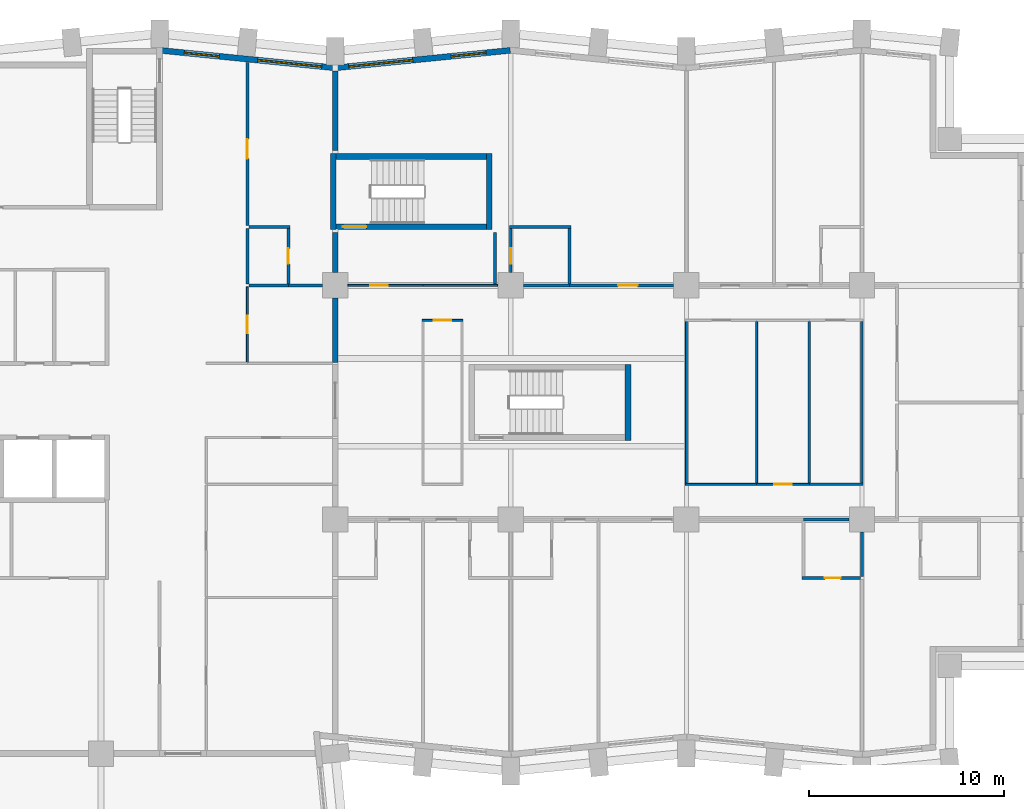
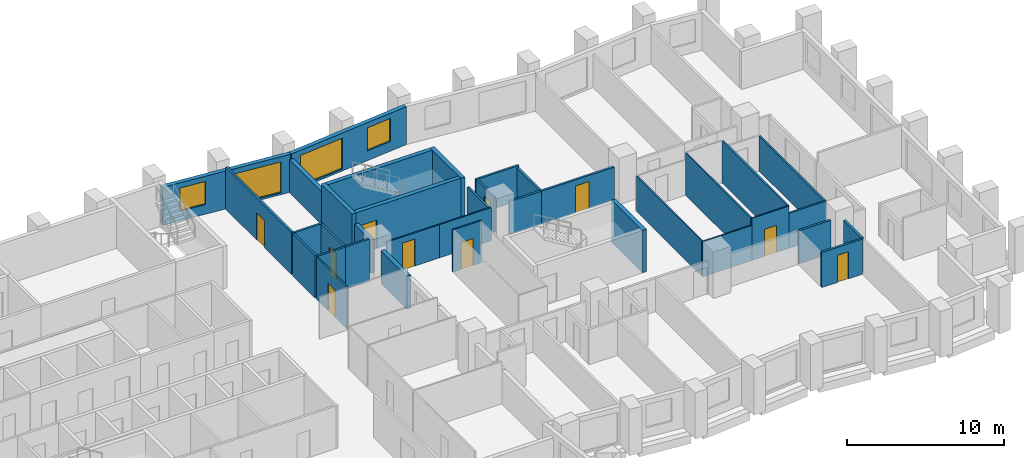
# One storey, part 8 of 12: 36 walls, 10 doors, 4 windows, 14 openings.
"""IFC4 building model written with IfcOpenShell, lengths in metres."""

import ifcopenshell
import ifcopenshell.guid

model = None  # the IFC model being written
_history = None  # IfcOwnerHistory: only IFC2X3 demands one
_inside = {}  # id of a spatial element -> (the spatial element, [elements in it])
_under = {}  # id of a project, library or spatial element -> (it, [spatial elements below it])
_declared = {}  # id of a project -> (the project, [libraries it declares])
_typed = {}  # id of a type object -> (the type object, [elements of that type])
_made_of = {}  # id of a material, layer set ... -> (it, [elements and type objects made of it])


def new_model(schema):
    """Start an empty IFC model of exactly this schema.

    Asked for "IFC4X3", IfcOpenShell would pick the latest addendum, in which some entities
    have other attributes; the version numbers below select the first issue.
    IFC2X3 requires an IfcOwnerHistory on every rooted entity: one is made here for all.
    """
    global model, _history
    if schema == "IFC4X3":
        model = ifcopenshell.file(schema_version=(4, 3, 0, 0))
    else:
        model = ifcopenshell.file(schema=schema)
    _inside.clear()
    _under.clear()
    _declared.clear()
    _typed.clear()
    _made_of.clear()
    _history = None
    if model.schema == "IFC2X3":
        org = make("IfcOrganization", Name="unknown")
        user = make(
            "IfcPersonAndOrganization",
            ThePerson=make("IfcPerson", FamilyName="unknown"),
            TheOrganization=org,
        )
        app = make(
            "IfcApplication",
            ApplicationDeveloper=org,
            Version="unknown",
            ApplicationFullName="unknown",
            ApplicationIdentifier="unknown",
        )
        _history = make(
            "IfcOwnerHistory",
            OwningUser=user,
            OwningApplication=app,
            ChangeAction="ADDED",
            CreationDate=0,
        )
    return model


def make(cls, **values):
    """One entity of the class cls with the attributes given. An attribute that is None is left unset."""
    return model.create_entity(
        cls, **{name: value for name, value in values.items() if value is not None}
    )


def rooted(cls, **values):
    """An entity with a GlobalId (a new one), such as an element, a storey or a relation."""
    return make(cls, GlobalId=ifcopenshell.guid.new(), OwnerHistory=_history, **values)


def si_unit(unit_type, name, prefix=None):
    """IfcSIUnit, for example si_unit("LENGTHUNIT", "METRE", prefix="MILLI")."""
    return make("IfcSIUnit", UnitType=unit_type, Prefix=prefix, Name=name)


def assignment(units):
    """IfcUnitAssignment: the units of a project."""
    return None if units is None else make("IfcUnitAssignment", Units=units)


def point(xyz):
    """IfcCartesianPoint."""
    return None if xyz is None else make("IfcCartesianPoint", Coordinates=xyz)


def direction(xyz):
    """IfcDirection."""
    return None if xyz is None else make("IfcDirection", DirectionRatios=xyz)


def frame(location, z_axis=None, x_axis=None):
    """IfcAxis2Placement3D, a coordinate frame: its origin and axes. An axis left out is left unset."""
    return make(
        "IfcAxis2Placement3D",
        Location=point(location),
        Axis=direction(z_axis),
        RefDirection=direction(x_axis),
    )


def frame_2d(location, x_axis=None):
    """IfcAxis2Placement2D, a coordinate frame in the plane: its origin and x axis."""
    return make(
        "IfcAxis2Placement2D", Location=point(location), RefDirection=direction(x_axis)
    )


def origin():
    """The frame at (0, 0, 0) with its axes left unset."""
    return frame((0.0, 0.0, 0.0))


def place(relative_to, where):
    """IfcLocalPlacement: puts the frame where relative to a parent placement (None: the world)."""
    return make(
        "IfcLocalPlacement", PlacementRelTo=relative_to, RelativePlacement=where
    )


def context(
    kind, dimensions, precision=None, world=None, true_north=None, identifier=None
):
    """IfcGeometricRepresentationContext, for example the 3D "Model" context."""
    return make(
        "IfcGeometricRepresentationContext",
        ContextIdentifier=identifier,
        ContextType=kind,
        CoordinateSpaceDimension=dimensions,
        Precision=precision,
        WorldCoordinateSystem=world,
        TrueNorth=true_north,
    )


def subcontext(parent, identifier, kind, view, scale=None):
    """IfcGeometricRepresentationSubContext, for example "Body" below "Model"."""
    return make(
        "IfcGeometricRepresentationSubContext",
        ContextIdentifier=identifier,
        ContextType=kind,
        ParentContext=parent,
        TargetScale=scale,
        TargetView=view,
    )


def project(units=None, contexts=None):
    """IfcProject with its units and contexts."""
    return rooted(
        "IfcProject",
        Name="project",
        RepresentationContexts=contexts,
        UnitsInContext=assignment(units),
    )


def spatial(cls, under=None, at=None, **own):
    """A site, building, storey or space (cls), placed at a placement, below another one or the project."""
    s = rooted(cls, ObjectPlacement=at, **own)
    if under is not None:
        _under.setdefault(under.id(), (under, []))[1].append(s)
    return s


def profile(cls, at=None, kind="AREA", **sizes):
    """A parametric profile (cls). Its sizes go by their IFC names, for example OverallWidth=200.0."""
    return make(cls, ProfileType=kind, Position=at, **sizes)


def rectangle(**sizes):
    """IfcRectangleProfileDef."""
    return profile("IfcRectangleProfileDef", **sizes)


def extrude(swept, where, along, depth):
    """IfcExtrudedAreaSolid: the profile swept, set in the frame where, extruded along a direction by depth."""
    return make(
        "IfcExtrudedAreaSolid",
        SweptArea=swept,
        Position=where,
        ExtrudedDirection=direction(along),
        Depth=depth,
    )


def shape(context_of_items, identifier, shape_type, items):
    """IfcShapeRepresentation: the items that make up one representation, for example the "Body"."""
    return make(
        "IfcShapeRepresentation",
        ContextOfItems=context_of_items,
        RepresentationIdentifier=identifier,
        RepresentationType=shape_type,
        Items=items,
    )


def material(Name=None, Category=None):
    """IfcMaterial."""
    return make("IfcMaterial", Name=Name, Category=Category)


def layer(
    of_material, thickness, ventilated=None, Name=None, Category=None, Priority=None
):
    """IfcMaterialLayer: one layer of a wall or slab, of a material (None: an air gap)."""
    return make(
        "IfcMaterialLayer",
        Material=of_material,
        LayerThickness=thickness,
        IsVentilated=ventilated,
        Name=Name,
        Category=Category,
        Priority=Priority,
    )


def layer_set(layers, Name=None):
    """IfcMaterialLayerSet."""
    return make("IfcMaterialLayerSet", MaterialLayers=layers, LayerSetName=Name)


def made_of(thing, what):
    """Note that an element or type object is made of a material, layer set ...; save() writes the relation."""
    if what is not None:
        _made_of.setdefault(what.id(), (what, []))[1].append(thing)
    return thing


def type_object(cls, material=None, **own):
    """A type object (cls), such as IfcWallType, which elements share."""
    return made_of(rooted(cls, **own), material)


def element(
    cls,
    number,
    at=None,
    inside=None,
    cuts=None,
    type_object=None,
    material=None,
    context=None,
    identifier="Body",
    shape_type=None,
    held_by="IfcProductDefinitionShape",
    body=None,
    shapes=None,
    **own,
):
    """One element of the class cls, such as IfcWall. Its Tag is "e" and its number.

    at: its placement. inside: the storey or other place that contains it. cuts: it is an
    opening in that element (IfcRelVoidsElement). A single representation is given by context,
    identifier, shape_type and body (its items); several are given by shapes. held_by: the class
    of the entity that holds the representations. save() writes the other relations.
    """
    e = rooted(cls, Tag="e%d" % number, ObjectPlacement=at, **own)
    if body is not None:
        shapes = [shape(context, identifier, shape_type, body)]
    if shapes is not None:
        e.Representation = make(held_by, Representations=shapes)
    if inside is not None:
        _inside.setdefault(inside.id(), (inside, []))[1].append(e)
    if cuts is not None:
        rooted(
            "IfcRelVoidsElement", RelatingBuildingElement=cuts, RelatedOpeningElement=e
        )
    if type_object is not None:
        _typed.setdefault(type_object.id(), (type_object, []))[1].append(e)
    return made_of(e, material)


def fill(opening, filler):
    """IfcRelFillsElement: the door or window that sits in an opening."""
    return rooted(
        "IfcRelFillsElement",
        RelatingOpeningElement=opening,
        RelatedBuildingElement=filler,
    )


def aggregate(whole, parts):
    """IfcRelAggregates: a whole, such as a stair, and the parts it consists of."""
    return rooted("IfcRelAggregates", RelatingObject=whole, RelatedObjects=parts)


def save(model, path):
    """Write the relations noted so far, then the file.

    IfcRelAggregates (storeys below a building ...), IfcRelContainedInSpatialStructure (elements
    in a storey), IfcRelDefinesByType, IfcRelAssociatesMaterial and IfcRelDeclares: one each for
    every whole, place, type object, material and project.
    """
    for whole, parts in _under.values():
        aggregate(whole, parts)
    for where, things in _inside.values():
        rooted(
            "IfcRelContainedInSpatialStructure",
            RelatedElements=things,
            RelatingStructure=where,
        )
    for kind, things in _typed.values():
        rooted("IfcRelDefinesByType", RelatedObjects=things, RelatingType=kind)
    for what, things in _made_of.values():
        rooted("IfcRelAssociatesMaterial", RelatedObjects=things, RelatingMaterial=what)
    for by, libraries in _declared.values():
        rooted("IfcRelDeclares", RelatingContext=by, RelatedDefinitions=libraries)
    model.write(path)


model = new_model("IFC4")

# Units and contexts
model_context = context("Model", 3, precision=1e-05, world=origin(), true_north=direction((0.0, 1.0)))
body_context = subcontext(model_context, "Body", "Model", "MODEL_VIEW")
ifc_project = project(units=[si_unit("LENGTHUNIT", "METRE"), si_unit("AREAUNIT", "SQUARE_METRE"), si_unit("VOLUMEUNIT", "CUBIC_METRE"), si_unit("PLANEANGLEUNIT", "RADIAN"), si_unit("MASSUNIT", "GRAM", prefix="KILO")], contexts=[model_context])

# Site, building, storey
site_placement = place(None, origin())
site = spatial("IfcSite", under=ifc_project, at=site_placement, CompositionType="ELEMENT")
building_placement = place(site_placement, origin())
building = spatial("IfcBuilding", under=site, at=building_placement, Name="Brondeck Convention Tower", CompositionType="ELEMENT")
storey_placement = place(building_placement, frame((0.0, 0.0, 77.10009765625)))
storey = spatial("IfcBuildingStorey", under=building, at=storey_placement, Name="L17", CompositionType="ELEMENT", Elevation=77.10009765625)

# Walls
ifc_material_1 = material(Name="Concrete compartment wall C30/37", Category="concrete")
ifc_layer_1 = layer(ifc_material_1, 0.300048828125)
ifc_layer_set_1 = layer_set([ifc_layer_1], Name="Compartment wall 300")
wall_type_1 = type_object("IfcWallType", Name="Compartment wall 300", PredefinedType="PARTITIONING", material=ifc_layer_set_1)
wall_1_placement = place(storey_placement, frame((36.0, 50.344970703125, 0.0), z_axis=(0.0, 0.0, 1.0), x_axis=(0.0, -1.0, 0.0)))
element("IfcWall", 1, at=wall_1_placement, inside=storey, type_object=wall_type_1, Name="FLR-L17-W103", PredefinedType="PARTITIONING", context=body_context, shape_type="SweptSolid", body=[
    extrude(rectangle(XDim=3.294921875, YDim=0.300048828125, at=frame_2d((1.6474609375, 0.0))), origin(), (0.0, 0.0, 1.0), 2.579833984375),
])
wall_2_placement = place(storey_placement, frame((36.0, 53.699951171875, 0.0), z_axis=(0.0, 0.0, 1.0), x_axis=(0.0, -1.0, 0.0)))
element("IfcWall", 2, at=wall_2_placement, inside=storey, type_object=wall_type_1, Name="FLR-L17-W118", PredefinedType="PARTITIONING", context=body_context, shape_type="SweptSolid", body=[
    extrude(rectangle(XDim=2.044921875, YDim=0.300048828125, at=frame_2d((1.0224609375, 0.0))), origin(), (0.0, 0.0, 1.0), 2.579833984375),
])
wall_3_placement = place(storey_placement, frame((36.0, 61.97509765625, 0.0), z_axis=(0.0, 0.0, 1.0), x_axis=(0.0, -1.0, 0.0)))
element("IfcWall", 3, at=wall_3_placement, inside=storey, type_object=wall_type_1, Name="FLR-L17-W127", PredefinedType="PARTITIONING", context=body_context, shape_type="SweptSolid", body=[
    extrude(rectangle(XDim=4.0751953125, YDim=0.300048828125, at=frame_2d((2.03759765625, 0.0))), origin(), (0.0, 0.0, 1.0), 2.579833984375),
])

# Wall, openings, windows
ifc_material_2 = material(Name="Precast concrete C50/60 bronze finish", Category="concrete")
ifc_layer_2 = layer(ifc_material_2, 0.070068359375, Name="Bronze precast facing")
ifc_material_3 = material(Name="Mineral wool")
ifc_layer_3 = layer(ifc_material_3, 0.159912109375, Name="Insulation")
ifc_material_4 = material(Name="Concrete C35/45", Category="concrete")
ifc_layer_4 = layer(ifc_material_4, 0.070068359375, Name="Backing")
ifc_layer_set_2 = layer_set([ifc_layer_2, ifc_layer_3, ifc_layer_4], Name="External infill wall, precast concrete C50/60 bronze facing")
wall_type_2 = type_object("IfcWallType", Name="External infill wall, precast concrete C50/60 bronze facing", PredefinedType="SOLIDWALL", material=ifc_layer_set_2)
wall_4_placement = place(storey_placement, frame((35.985107421875, 62.144287109375, 0.0), z_axis=(0.0, 0.0, 1.0), x_axis=(0.995037993253, 0.099495688264, 0.0)))
wall_4 = element("IfcWall", 4, at=wall_4_placement, inside=storey, type_object=wall_type_2, Name="ENV-EW-L17-P0-A-N-09", PredefinedType="SOLIDWALL", context=body_context, shape_type="SweptSolid", body=[
    extrude(rectangle(XDim=9.030029296875, YDim=0.300048828125, at=frame_2d((4.51513671875, 0.0))), origin(), (0.0, 0.0, 1.0), 2.949951171875),
])
opening_1_placement = place(wall_4_placement, frame((0.711181640625, 0.0, 0.14990234375)))
opening_1 = element("IfcOpeningElement", 5, at=opening_1_placement, cuts=wall_4, Name="Opening W9", PredefinedType="OPENING", context=body_context, shape_type="SweptSolid", body=[
    extrude(rectangle(XDim=3.300048828125, YDim=2.39990234375, at=frame_2d((1.64990234375, 1.199951171875))), frame((0.0, 0.159912109375, 0.0), z_axis=(0.0, -1.0, 0.0), x_axis=(1.0, 0.0, 0.0)), (0.0, 0.0, 1.0), 0.320068359375),
])
opening_2_placement = place(wall_4_placement, frame((5.983642578125, 0.0, 0.75)))
opening_2 = element("IfcOpeningElement", 6, at=opening_2_placement, cuts=wall_4, Name="Opening W10", PredefinedType="OPENING", context=body_context, shape_type="SweptSolid", body=[
    extrude(rectangle(XDim=1.800048828125, YDim=1.800048828125, at=frame_2d((0.89990234375, 0.89990234375))), frame((0.0, 0.159912109375, 0.0), z_axis=(0.0, -1.0, 0.0), x_axis=(1.0, 0.0, 0.0)), (0.0, 0.0, 1.0), 0.320068359375),
])
ifc_material_5 = material(Name="Bronze tinted double glazing", Category="glass")
window_type_1 = type_object("IfcWindowType", Name="Glazed flute window, bronze tinted", PartitioningType="SINGLE_PANEL", PredefinedType="WINDOW", material=ifc_material_5)
window_1_placement = place(opening_1_placement, origin())
window_1 = element("IfcWindow", 7, at=window_1_placement, inside=storey, type_object=window_type_1, Name="ENV-WN-L17-P0-A-N-08", OverallHeight=2.39990234375, OverallWidth=3.300048828125, PartitioningType="SINGLE_PANEL", PredefinedType="WINDOW", context=body_context, shape_type="SweptSolid", body=[
    extrude(rectangle(XDim=3.300048828125, YDim=2.39990234375, at=frame_2d((1.64990234375, 1.199951171875))), frame((0.0, 0.030029296875, 0.0), z_axis=(0.0, -1.0, 0.0), x_axis=(1.0, 0.0, 0.0)), (0.0, 0.0, 1.0), 0.06005859375),
])
fill(opening_1, window_1)
window_type_2 = type_object("IfcWindowType", Name="Punched window, bronze tinted", PartitioningType="SINGLE_PANEL", PredefinedType="WINDOW", material=ifc_material_5)
window_2_placement = place(opening_2_placement, origin())
window_2 = element("IfcWindow", 8, at=window_2_placement, inside=storey, type_object=window_type_2, Name="ENV-WN-L17-P0-A-N-09", OverallHeight=1.800048828125, OverallWidth=1.800048828125, PartitioningType="SINGLE_PANEL", PredefinedType="WINDOW", context=body_context, shape_type="SweptSolid", body=[
    extrude(rectangle(XDim=1.800048828125, YDim=1.800048828125, at=frame_2d((0.89990234375, 0.89990234375))), frame((0.0, 0.030029296875, 0.0), z_axis=(0.0, -1.0, 0.0), x_axis=(1.0, 0.0, 0.0)), (0.0, 0.0, 1.0), 0.06005859375),
])
fill(opening_2, window_2)

wall_5_placement = place(storey_placement, frame((27.064697265625, 63.039306640625, 0.0), z_axis=(0.0, 0.0, 1.0), x_axis=(0.995036379926, -0.099511821531, 0.0)))
wall_5 = element("IfcWall", 9, at=wall_5_placement, inside=storey, type_object=wall_type_2, Name="ENV-EW-L17-P0-A-N-07", PredefinedType="SOLIDWALL", context=body_context, shape_type="SweptSolid", body=[
    extrude(rectangle(XDim=8.949951171875, YDim=0.300048828125, at=frame_2d((4.47509765625, 0.0))), origin(), (0.0, 0.0, 1.0), 2.949951171875),
])
opening_3_placement = place(wall_5_placement, frame((1.211181640625, 0.0, 0.75)))
opening_3 = element("IfcOpeningElement", 10, at=opening_3_placement, cuts=wall_5, Name="Opening W10", PredefinedType="OPENING", context=body_context, shape_type="SweptSolid", body=[
    extrude(rectangle(XDim=1.800048828125, YDim=1.800048828125, at=frame_2d((0.89990234375, 0.89990234375))), frame((0.0, 0.159912109375, 0.0), z_axis=(0.0, -1.0, 0.0), x_axis=(1.0, 0.0, 0.0)), (0.0, 0.0, 1.0), 0.320068359375),
])
opening_4_placement = place(wall_5_placement, frame((4.983642578125, 0.0, 0.14990234375)))
opening_4 = element("IfcOpeningElement", 11, at=opening_4_placement, cuts=wall_5, Name="Opening W9", PredefinedType="OPENING", context=body_context, shape_type="SweptSolid", body=[
    extrude(rectangle(XDim=3.300048828125, YDim=2.39990234375, at=frame_2d((1.64990234375, 1.199951171875))), frame((0.0, 0.159912109375, 0.0), z_axis=(0.0, -1.0, 0.0), x_axis=(1.0, 0.0, 0.0)), (0.0, 0.0, 1.0), 0.320068359375),
])
window_3_placement = place(opening_4_placement, origin())
window_3 = element("IfcWindow", 12, at=window_3_placement, inside=storey, type_object=window_type_1, Name="ENV-WN-L17-P0-A-N-07", OverallHeight=2.39990234375, OverallWidth=3.300048828125, PartitioningType="SINGLE_PANEL", PredefinedType="WINDOW", context=body_context, shape_type="SweptSolid", body=[
    extrude(rectangle(XDim=3.300048828125, YDim=2.39990234375, at=frame_2d((1.64990234375, 1.199951171875))), frame((0.0, 0.030029296875, 0.0), z_axis=(0.0, -1.0, 0.0), x_axis=(1.0, 0.0, 0.0)), (0.0, 0.0, 1.0), 0.06005859375),
])
fill(opening_4, window_3)
window_4_placement = place(opening_3_placement, origin())
window_4 = element("IfcWindow", 13, at=window_4_placement, inside=storey, type_object=window_type_2, Name="ENV-WN-L17-P0-A-N-06", OverallHeight=1.800048828125, OverallWidth=1.800048828125, PartitioningType="SINGLE_PANEL", PredefinedType="WINDOW", context=body_context, shape_type="SweptSolid", body=[
    extrude(rectangle(XDim=1.800048828125, YDim=1.800048828125, at=frame_2d((0.89990234375, 0.89990234375))), frame((0.0, 0.030029296875, 0.0), z_axis=(0.0, -1.0, 0.0), x_axis=(1.0, 0.0, 0.0)), (0.0, 0.0, 1.0), 0.06005859375),
])
fill(opening_3, window_4)

# Wall, opening, door
ifc_material_6 = material(Name="Double gypsum board acoustic wall")
ifc_layer_5 = layer(ifc_material_6, 0.14990234375)
ifc_layer_set_3 = layer_set([ifc_layer_5], Name="Guest room party wall 150")
wall_type_3 = type_object("IfcWallType", Name="Guest room party wall 150", PredefinedType="PARTITIONING", material=ifc_layer_set_3)
wall_6_placement = place(storey_placement, frame((59.925048828125, 36.0, 0.0), z_axis=(0.0, 0.0, 1.0), x_axis=(1.0, 0.0, 0.0)))
wall_6 = element("IfcWall", 14, at=wall_6_placement, inside=storey, type_object=wall_type_3, Name="FLR-L17-W054", PredefinedType="PARTITIONING", context=body_context, shape_type="SweptSolid", body=[
    extrude(rectangle(XDim=3.0, YDim=0.14990234375, at=frame_2d((1.5, 0.0))), origin(), (0.0, 0.0, 1.0), 2.72998046875),
])
opening_5_placement = place(wall_6_placement, frame((1.175048828125, 0.0, 0.0)))
opening_5 = element("IfcOpeningElement", 15, at=opening_5_placement, cuts=wall_6, Name="Opening H5-014", PredefinedType="OPENING", context=body_context, shape_type="SweptSolid", body=[
    extrude(rectangle(XDim=0.800048828125, YDim=2.10009765625, at=frame_2d((0.39990234375, 1.050048828125))), frame((0.0, 0.0849609375, 0.0), z_axis=(0.0, -1.0, 0.0), x_axis=(1.0, 0.0, 0.0)), (0.0, 0.0, 1.0), 0.169921875),
])
ifc_material_7 = material(Name="Solid timber door leaf", Category="wood")
door_type_1 = type_object("IfcDoorType", Name="En-suite door 800", OperationType="NOTDEFINED", PredefinedType="DOOR", material=ifc_material_7)
door_1_placement = place(opening_5_placement, origin())
door_1 = element("IfcDoor", 16, at=door_1_placement, inside=storey, type_object=door_type_1, Name="Door H5-014", OperationType="SINGLE_SWING_RIGHT", OverallHeight=2.10009765625, OverallWidth=0.800048828125, PredefinedType="DOOR", context=body_context, shape_type="SweptSolid", body=[
    extrude(rectangle(XDim=0.800048828125, YDim=2.10009765625, at=frame_2d((0.39990234375, 1.050048828125))), frame((0.0, 0.02490234375, 0.0), z_axis=(0.0, -1.0, 0.0), x_axis=(1.0, 0.0, 0.0)), (0.0, 0.0, 1.0), 0.050048828125),
])
fill(opening_5, door_1)

# Walls
wall_7_placement = place(storey_placement, frame((63.0, 38.344970703125, 0.0), z_axis=(0.0, 0.0, 1.0), x_axis=(0.0, -1.0, 0.0)))
element("IfcWall", 17, at=wall_7_placement, inside=storey, type_object=wall_type_3, Name="FLR-L17-W061", PredefinedType="PARTITIONING", context=body_context, shape_type="SweptSolid", body=[
    extrude(rectangle(XDim=2.27001953125, YDim=0.14990234375, at=frame_2d((1.135009765625, 0.0))), origin(), (0.0, 0.0, 1.0), 2.72998046875),
])
wall_8_placement = place(storey_placement, frame((62.344970703125, 39.0, 0.0), z_axis=(0.0, 0.0, 1.0), x_axis=(-1.0, 0.0, 0.0)))
element("IfcWall", 18, at=wall_8_placement, inside=storey, type_object=wall_type_3, Name="FLR-L17-W075", PredefinedType="PARTITIONING", context=body_context, shape_type="SweptSolid", body=[
    extrude(rectangle(XDim=2.344970703125, YDim=0.14990234375, at=frame_2d((1.17236328125, 0.0))), origin(), (0.0, 0.0, 1.0), 2.579833984375),
])
wall_9_placement = place(storey_placement, frame((31.574951171875, 51.0, 0.0), z_axis=(0.0, 0.0, 1.0), x_axis=(1.0, 0.0, 0.0)))
element("IfcWall", 19, at=wall_9_placement, inside=storey, type_object=wall_type_3, Name="FLR-L17-W106", PredefinedType="PARTITIONING", context=body_context, shape_type="SweptSolid", body=[
    extrude(rectangle(XDim=2.025146484375, YDim=0.14990234375, at=frame_2d((1.0126953125, 0.0))), origin(), (0.0, 0.0, 1.0), 3.27978515625),
])
wall_10_placement = place(storey_placement, frame((33.60009765625, 51.0, 0.0), z_axis=(0.0, 0.0, 1.0), x_axis=(1.0, 0.0, 0.0)))
element("IfcWall", 20, at=wall_10_placement, inside=storey, type_object=wall_type_3, Name="FLR-L17-W107", PredefinedType="PARTITIONING", context=body_context, shape_type="SweptSolid", body=[
    extrude(rectangle(XDim=1.744873046875, YDim=0.14990234375, at=frame_2d((0.87255859375, 0.0))), origin(), (0.0, 0.0, 1.0), 3.27978515625),
])
wall_11_placement = place(storey_placement, frame((45.655029296875, 51.0, 0.0), z_axis=(0.0, 0.0, 1.0), x_axis=(1.0, 0.0, 0.0)))
element("IfcWall", 21, at=wall_11_placement, inside=storey, type_object=wall_type_3, Name="FLR-L17-W110", PredefinedType="PARTITIONING", context=body_context, shape_type="SweptSolid", body=[
    extrude(rectangle(XDim=2.344970703125, YDim=0.14990234375, at=frame_2d((1.17236328125, 0.0))), origin(), (0.0, 0.0, 1.0), 2.579833984375),
])

# Wall, opening, door
wall_12_placement = place(storey_placement, frame((48.0, 51.0, 0.0), z_axis=(0.0, 0.0, 1.0), x_axis=(1.0, 0.0, 0.0)))
wall_12 = element("IfcWall", 22, at=wall_12_placement, inside=storey, type_object=wall_type_3, Name="FLR-L17-W111", PredefinedType="PARTITIONING", context=body_context, shape_type="SweptSolid", body=[
    extrude(rectangle(XDim=5.344970703125, YDim=0.14990234375, at=frame_2d((2.67236328125, 0.0))), origin(), (0.0, 0.0, 1.0), 2.579833984375),
])
opening_6_placement = place(wall_12_placement, frame((2.5, 0.0, 0.0)))
opening_6 = element("IfcOpeningElement", 23, at=opening_6_placement, cuts=wall_12, Name="Opening H5-002", PredefinedType="OPENING", context=body_context, shape_type="SweptSolid", body=[
    extrude(rectangle(XDim=1.0, YDim=2.10009765625, at=frame_2d((0.5, 1.050048828125))), frame((0.0, 0.0849609375, 0.0), z_axis=(0.0, -1.0, 0.0), x_axis=(1.0, 0.0, 0.0)), (0.0, 0.0, 1.0), 0.169921875),
])
ifc_material_8 = material(Name="Solid timber fire door leaf", Category="wood")
door_type_2 = type_object("IfcDoorType", Name="Guest room door 1000", OperationType="NOTDEFINED", PredefinedType="DOOR", material=ifc_material_8)
door_2_placement = place(opening_6_placement, origin())
door_2 = element("IfcDoor", 24, at=door_2_placement, inside=storey, type_object=door_type_2, Name="Door H5-002", OperationType="SINGLE_SWING_RIGHT", OverallHeight=2.10009765625, OverallWidth=1.0, PredefinedType="DOOR", context=body_context, shape_type="SweptSolid", body=[
    extrude(rectangle(XDim=1.0, YDim=2.10009765625, at=frame_2d((0.5, 1.050048828125))), frame((0.0, 0.02490234375, 0.0), z_axis=(0.0, -1.0, 0.0), x_axis=(1.0, 0.0, 0.0)), (0.0, 0.0, 1.0), 0.050048828125),
])
fill(opening_6, door_2)

wall_13_placement = place(storey_placement, frame((33.60009765625, 51.074951171875, 0.0), z_axis=(0.0, 0.0, 1.0), x_axis=(0.0, 1.0, 0.0)))
wall_13 = element("IfcWall", 25, at=wall_13_placement, inside=storey, type_object=wall_type_3, Name="FLR-L17-W116", PredefinedType="PARTITIONING", context=body_context, shape_type="SweptSolid", body=[
    extrude(rectangle(XDim=2.85009765625, YDim=0.14990234375, at=frame_2d((1.425048828125, 0.0))), origin(), (0.0, 0.0, 1.0), 3.27978515625),
])
opening_7_placement = place(wall_13_placement, frame((1.02490234375, 0.0, 0.0)))
opening_7 = element("IfcOpeningElement", 26, at=opening_7_placement, cuts=wall_13, Name="Opening H5-034", PredefinedType="OPENING", context=body_context, shape_type="SweptSolid", body=[
    extrude(rectangle(XDim=0.800048828125, YDim=2.10009765625, at=frame_2d((0.39990234375, 1.050048828125))), frame((0.0, 0.0849609375, 0.0), z_axis=(0.0, -1.0, 0.0), x_axis=(1.0, 0.0, 0.0)), (0.0, 0.0, 1.0), 0.169921875),
])
door_3_placement = place(opening_7_placement, origin())
door_3 = element("IfcDoor", 27, at=door_3_placement, inside=storey, type_object=door_type_1, Name="Door H5-034", OperationType="SINGLE_SWING_LEFT", OverallHeight=2.10009765625, OverallWidth=0.800048828125, PredefinedType="DOOR", context=body_context, shape_type="SweptSolid", body=[
    extrude(rectangle(XDim=0.800048828125, YDim=2.10009765625, at=frame_2d((0.39990234375, 1.050048828125))), frame((0.0, 0.02490234375, 0.0), z_axis=(0.0, -1.0, 0.0), x_axis=(1.0, 0.0, 0.0)), (0.0, 0.0, 1.0), 0.050048828125),
])
fill(opening_7, door_3)

# Walls
wall_14_placement = place(storey_placement, frame((48.0, 51.074951171875, 0.0), z_axis=(0.0, 0.0, 1.0), x_axis=(0.0, 1.0, 0.0)))
element("IfcWall", 28, at=wall_14_placement, inside=storey, type_object=wall_type_3, Name="FLR-L17-W117", PredefinedType="PARTITIONING", context=body_context, shape_type="SweptSolid", body=[
    extrude(rectangle(XDim=2.85009765625, YDim=0.14990234375, at=frame_2d((1.425048828125, 0.0))), origin(), (0.0, 0.0, 1.0), 2.579833984375),
])
wall_15_placement = place(storey_placement, frame((44.199951171875, 53.699951171875, 0.0), z_axis=(0.0, 0.0, 1.0), x_axis=(0.0, -1.0, 0.0)))
element("IfcWall", 29, at=wall_15_placement, inside=storey, type_object=wall_type_3, Name="FLR-L17-W119", PredefinedType="PARTITIONING", context=body_context, shape_type="SweptSolid", body=[
    extrude(rectangle(XDim=2.625, YDim=0.14990234375, at=frame_2d((1.3125, 0.0))), origin(), (0.0, 0.0, 1.0), 2.579833984375),
])
wall_16_placement = place(storey_placement, frame((31.5, 53.925048828125, 0.0), z_axis=(0.0, 0.0, 1.0), x_axis=(0.0, -1.0, 0.0)))
element("IfcWall", 30, at=wall_16_placement, inside=storey, type_object=wall_type_3, Name="FLR-L17-W120", PredefinedType="PARTITIONING", context=body_context, shape_type="SweptSolid", body=[
    extrude(rectangle(XDim=2.85009765625, YDim=0.14990234375, at=frame_2d((1.425048828125, 0.0))), origin(), (0.0, 0.0, 1.0), 3.27978515625),
])

# Wall, opening, door
wall_17_placement = place(storey_placement, frame((45.0, 53.925048828125, 0.0), z_axis=(0.0, 0.0, 1.0), x_axis=(0.0, -1.0, 0.0)))
wall_17 = element("IfcWall", 31, at=wall_17_placement, inside=storey, type_object=wall_type_3, Name="FLR-L17-W121", PredefinedType="PARTITIONING", context=body_context, shape_type="SweptSolid", body=[
    extrude(rectangle(XDim=2.27001953125, YDim=0.14990234375, at=frame_2d((1.135009765625, 0.0))), origin(), (0.0, 0.0, 1.0), 2.72998046875),
])
opening_8_placement = place(wall_17_placement, frame((1.02490234375, 0.0, 0.0)))
opening_8 = element("IfcOpeningElement", 32, at=opening_8_placement, cuts=wall_17, Name="Opening H5-003", PredefinedType="OPENING", context=body_context, shape_type="SweptSolid", body=[
    extrude(rectangle(XDim=0.800048828125, YDim=2.10009765625, at=frame_2d((0.39990234375, 1.050048828125))), frame((0.0, 0.0849609375, 0.0), z_axis=(0.0, -1.0, 0.0), x_axis=(1.0, 0.0, 0.0)), (0.0, 0.0, 1.0), 0.169921875),
])
door_4_placement = place(opening_8_placement, origin())
door_4 = element("IfcDoor", 33, at=door_4_placement, inside=storey, type_object=door_type_1, Name="Door H5-003", OperationType="SINGLE_SWING_RIGHT", OverallHeight=2.10009765625, OverallWidth=0.800048828125, PredefinedType="DOOR", context=body_context, shape_type="SweptSolid", body=[
    extrude(rectangle(XDim=0.800048828125, YDim=2.10009765625, at=frame_2d((0.39990234375, 1.050048828125))), frame((0.0, 0.02490234375, 0.0), z_axis=(0.0, -1.0, 0.0), x_axis=(1.0, 0.0, 0.0)), (0.0, 0.0, 1.0), 0.050048828125),
])
fill(opening_8, door_4)

# Walls
wall_18_placement = place(storey_placement, frame((33.675048828125, 54.0, 0.0), z_axis=(0.0, 0.0, 1.0), x_axis=(-1.0, 0.0, 0.0)))
element("IfcWall", 34, at=wall_18_placement, inside=storey, type_object=wall_type_3, Name="FLR-L17-W124", PredefinedType="PARTITIONING", context=body_context, shape_type="SweptSolid", body=[
    extrude(rectangle(XDim=2.10009765625, YDim=0.14990234375, at=frame_2d((1.050048828125, 0.0))), origin(), (0.0, 0.0, 1.0), 3.27978515625),
])
wall_19_placement = place(storey_placement, frame((48.074951171875, 54.0, 0.0), z_axis=(0.0, 0.0, 1.0), x_axis=(-1.0, 0.0, 0.0)))
element("IfcWall", 35, at=wall_19_placement, inside=storey, type_object=wall_type_3, Name="FLR-L17-W125", PredefinedType="PARTITIONING", context=body_context, shape_type="SweptSolid", body=[
    extrude(rectangle(XDim=3.14990234375, YDim=0.14990234375, at=frame_2d((1.574951171875, 0.0))), origin(), (0.0, 0.0, 1.0), 2.72998046875),
])

# Wall, opening, door
wall_20_placement = place(storey_placement, frame((31.5, 62.425048828125, 0.0), z_axis=(0.0, 0.0, 1.0), x_axis=(0.0, -1.0, 0.0)))
wall_20 = element("IfcWall", 36, at=wall_20_placement, inside=storey, type_object=wall_type_3, Name="FLR-L17-W129", PredefinedType="PARTITIONING", context=body_context, shape_type="SweptSolid", body=[
    extrude(rectangle(XDim=8.35009765625, YDim=0.14990234375, at=frame_2d((4.175048828125, 0.0))), origin(), (0.0, 0.0, 1.0), 3.27978515625),
])
opening_9_placement = place(wall_20_placement, frame((3.925048828125, 0.0, 0.0)))
opening_9 = element("IfcOpeningElement", 37, at=opening_9_placement, cuts=wall_20, Name="Opening H5-033", PredefinedType="OPENING", context=body_context, shape_type="SweptSolid", body=[
    extrude(rectangle(XDim=1.0, YDim=2.10009765625, at=frame_2d((0.5, 1.050048828125))), frame((0.0, 0.0849609375, 0.0), z_axis=(0.0, -1.0, 0.0), x_axis=(1.0, 0.0, 0.0)), (0.0, 0.0, 1.0), 0.169921875),
])
door_5_placement = place(opening_9_placement, origin())
door_5 = element("IfcDoor", 38, at=door_5_placement, inside=storey, type_object=door_type_2, Name="Door H5-033", OperationType="SINGLE_SWING_LEFT", OverallHeight=2.10009765625, OverallWidth=1.0, PredefinedType="DOOR", context=body_context, shape_type="SweptSolid", body=[
    extrude(rectangle(XDim=1.0, YDim=2.10009765625, at=frame_2d((0.5, 1.050048828125))), frame((0.0, 0.02490234375, 0.0), z_axis=(0.0, -1.0, 0.0), x_axis=(1.0, 0.0, 0.0)), (0.0, 0.0, 1.0), 0.050048828125),
])
fill(opening_9, door_5)

# Walls
ifc_material_9 = material(Name="Gypsum board shaft wall on steel studs", Category="steel")
ifc_layer_6 = layer(ifc_material_9, 0.125)
ifc_layer_set_4 = layer_set([ifc_layer_6], Name="Riser wall 125")
wall_type_4 = type_object("IfcWallType", Name="Riser wall 125", PredefinedType="PARTITIONING", material=ifc_layer_set_4)
wall_21_placement = place(storey_placement, frame((60.300048828125, 40.800048828125, 0.0), z_axis=(0.0, 0.0, 1.0), x_axis=(1.0, 0.0, 0.0)))
element("IfcWall", 39, at=wall_21_placement, inside=storey, type_object=wall_type_4, Name="FLR-L17-W084", PredefinedType="PARTITIONING", context=body_context, shape_type="SweptSolid", body=[
    extrude(rectangle(XDim=2.762451171875, YDim=0.125, at=frame_2d((1.38134765625, 0.0))), origin(), (0.0, 0.0, 1.0), 2.72998046875),
])
wall_22_placement = place(storey_placement, frame((63.0, 40.862548828125, 0.0), z_axis=(0.0, 0.0, 1.0), x_axis=(0.0, 1.0, 0.0)))
element("IfcWall", 40, at=wall_22_placement, inside=storey, type_object=wall_type_4, Name="FLR-L17-W085", PredefinedType="PARTITIONING", context=body_context, shape_type="SweptSolid", body=[
    extrude(rectangle(XDim=8.27490234375, YDim=0.125, at=frame_2d((4.137451171875, 0.0))), origin(), (0.0, 0.0, 1.0), 2.72998046875),
])
wall_23_placement = place(storey_placement, frame((60.300048828125, 49.137451171875, 0.0), z_axis=(0.0, 0.0, 1.0), x_axis=(0.0, -1.0, 0.0)))
element("IfcWall", 41, at=wall_23_placement, inside=storey, type_object=wall_type_4, Name="FLR-L17-W094", PredefinedType="PARTITIONING", context=body_context, shape_type="SweptSolid", body=[
    extrude(rectangle(XDim=8.27490234375, YDim=0.125, at=frame_2d((4.137451171875, 0.0))), origin(), (0.0, 0.0, 1.0), 3.27978515625),
])
ifc_material_10 = material(Name="Gypsum board partition on steel studs", Category="steel")
ifc_layer_7 = layer(ifc_material_10, 0.10009765625)
ifc_layer_set_5 = layer_set([ifc_layer_7], Name="Room partition 100")
wall_type_5 = type_object("IfcWallType", Name="Room partition 100", PredefinedType="PARTITIONING", material=ifc_layer_set_5)
wall_24_placement = place(storey_placement, frame((53.949951171875, 40.800048828125, 0.0), z_axis=(0.0, 0.0, 1.0), x_axis=(1.0, 0.0, 0.0)))
element("IfcWall", 42, at=wall_24_placement, inside=storey, type_object=wall_type_5, Name="FLR-L17-W082", PredefinedType="PARTITIONING", context=body_context, shape_type="SweptSolid", body=[
    extrude(rectangle(XDim=3.650146484375, YDim=0.10009765625, at=frame_2d((1.8251953125, 0.0))), origin(), (0.0, 0.0, 1.0), 2.72998046875),
])

# Wall, opening, door
wall_25_placement = place(storey_placement, frame((57.60009765625, 40.800048828125, 0.0), z_axis=(0.0, 0.0, 1.0), x_axis=(1.0, 0.0, 0.0)))
wall_25 = element("IfcWall", 43, at=wall_25_placement, inside=storey, type_object=wall_type_5, Name="FLR-L17-W083", PredefinedType="PARTITIONING", context=body_context, shape_type="SweptSolid", body=[
    extrude(rectangle(XDim=2.699951171875, YDim=0.10009765625, at=frame_2d((1.35009765625, 0.0))), origin(), (0.0, 0.0, 1.0), 3.27978515625),
])
opening_10_placement = place(wall_25_placement, frame((0.89990234375, 0.0, 0.0)))
opening_10 = element("IfcOpeningElement", 44, at=opening_10_placement, cuts=wall_25, Name="Opening H5-017", PredefinedType="OPENING", context=body_context, shape_type="SweptSolid", body=[
    extrude(rectangle(XDim=0.89990234375, YDim=2.10009765625, at=frame_2d((0.449951171875, 1.050048828125))), frame((0.0, 0.06005859375, 0.0), z_axis=(0.0, -1.0, 0.0), x_axis=(1.0, 0.0, 0.0)), (0.0, 0.0, 1.0), 0.1201171875),
])
door_type_3 = type_object("IfcDoorType", Name="Single door 900", OperationType="NOTDEFINED", PredefinedType="DOOR", material=ifc_material_7)
door_6_placement = place(opening_10_placement, origin())
door_6 = element("IfcDoor", 45, at=door_6_placement, inside=storey, type_object=door_type_3, Name="Door H5-017", OperationType="SINGLE_SWING_LEFT", OverallHeight=2.10009765625, OverallWidth=0.89990234375, PredefinedType="DOOR", context=body_context, shape_type="SweptSolid", body=[
    extrude(rectangle(XDim=0.89990234375, YDim=2.10009765625, at=frame_2d((0.449951171875, 1.050048828125))), frame((0.0, 0.02490234375, 0.0), z_axis=(0.0, -1.0, 0.0), x_axis=(1.0, 0.0, 0.0)), (0.0, 0.0, 1.0), 0.050048828125),
])
fill(opening_10, door_6)

# Walls
wall_26_placement = place(storey_placement, frame((54.0, 49.14990234375, 0.0), z_axis=(0.0, 0.0, 1.0), x_axis=(0.0, -1.0, 0.0)))
element("IfcWall", 46, at=wall_26_placement, inside=storey, type_object=wall_type_5, Name="FLR-L17-W097", PredefinedType="PARTITIONING", context=body_context, shape_type="SweptSolid", body=[
    extrude(rectangle(XDim=8.2998046875, YDim=0.10009765625, at=frame_2d((4.14990234375, 0.0))), origin(), (0.0, 0.0, 1.0), 2.72998046875),
])
wall_27_placement = place(storey_placement, frame((57.60009765625, 49.14990234375, 0.0), z_axis=(0.0, 0.0, 1.0), x_axis=(0.0, -1.0, 0.0)))
element("IfcWall", 47, at=wall_27_placement, inside=storey, type_object=wall_type_5, Name="FLR-L17-W098", PredefinedType="PARTITIONING", context=body_context, shape_type="SweptSolid", body=[
    extrude(rectangle(XDim=8.2998046875, YDim=0.10009765625, at=frame_2d((4.14990234375, 0.0))), origin(), (0.0, 0.0, 1.0), 3.27978515625),
])

# Wall, opening, door
wall_28_placement = place(storey_placement, frame((42.550048828125, 49.199951171875, 0.0), z_axis=(0.0, 0.0, 1.0), x_axis=(-1.0, 0.0, 0.0)))
wall_28 = element("IfcWall", 48, at=wall_28_placement, inside=storey, type_object=wall_type_5, Name="FLR-L17-W099", PredefinedType="PARTITIONING", context=body_context, shape_type="SweptSolid", body=[
    extrude(rectangle(XDim=2.10009765625, YDim=0.10009765625, at=frame_2d((1.050048828125, 0.0))), origin(), (0.0, 0.0, 1.0), 3.27978515625),
])
opening_11_placement = place(wall_28_placement, frame((0.60009765625, 0.0, 0.0)))
opening_11 = element("IfcOpeningElement", 49, at=opening_11_placement, cuts=wall_28, Name="Opening H5-015", PredefinedType="OPENING", context=body_context, shape_type="SweptSolid", body=[
    extrude(rectangle(XDim=0.89990234375, YDim=2.10009765625, at=frame_2d((0.449951171875, 1.050048828125))), frame((0.0, 0.06005859375, 0.0), z_axis=(0.0, -1.0, 0.0), x_axis=(1.0, 0.0, 0.0)), (0.0, 0.0, 1.0), 0.1201171875),
])
door_7_placement = place(opening_11_placement, origin())
door_7 = element("IfcDoor", 50, at=door_7_placement, inside=storey, type_object=door_type_3, Name="Door H5-015", OperationType="SINGLE_SWING_LEFT", OverallHeight=2.10009765625, OverallWidth=0.89990234375, PredefinedType="DOOR", context=body_context, shape_type="SweptSolid", body=[
    extrude(rectangle(XDim=0.89990234375, YDim=2.10009765625, at=frame_2d((0.449951171875, 1.050048828125))), frame((0.0, 0.02490234375, 0.0), z_axis=(0.0, -1.0, 0.0), x_axis=(1.0, 0.0, 0.0)), (0.0, 0.0, 1.0), 0.050048828125),
])
fill(opening_11, door_7)

wall_29_placement = place(storey_placement, frame((31.5, 50.925048828125, 0.0), z_axis=(0.0, 0.0, 1.0), x_axis=(0.0, -1.0, 0.0)))
wall_29 = element("IfcWall", 51, at=wall_29_placement, inside=storey, type_object=wall_type_5, Name="FLR-L17-W104", PredefinedType="PARTITIONING", context=body_context, shape_type="SweptSolid", body=[
    extrude(rectangle(XDim=3.875, YDim=0.10009765625, at=frame_2d((1.9375, 0.0))), origin(), (0.0, 0.0, 1.0), 3.27978515625),
])
opening_12_placement = place(wall_29_placement, frame((1.47509765625, 0.0, 0.0)))
opening_12 = element("IfcOpeningElement", 52, at=opening_12_placement, cuts=wall_29, Name="Opening H5-035", PredefinedType="OPENING", context=body_context, shape_type="SweptSolid", body=[
    extrude(rectangle(XDim=0.89990234375, YDim=2.10009765625, at=frame_2d((0.449951171875, 1.050048828125))), frame((0.0, 0.06005859375, 0.0), z_axis=(0.0, -1.0, 0.0), x_axis=(1.0, 0.0, 0.0)), (0.0, 0.0, 1.0), 0.1201171875),
])
door_8_placement = place(opening_12_placement, origin())
door_8 = element("IfcDoor", 53, at=door_8_placement, inside=storey, type_object=door_type_3, Name="Door H5-035", OperationType="SINGLE_SWING_LEFT", OverallHeight=2.10009765625, OverallWidth=0.89990234375, PredefinedType="DOOR", context=body_context, shape_type="SweptSolid", body=[
    extrude(rectangle(XDim=0.89990234375, YDim=2.10009765625, at=frame_2d((0.449951171875, 1.050048828125))), frame((0.0, 0.02490234375, 0.0), z_axis=(0.0, -1.0, 0.0), x_axis=(1.0, 0.0, 0.0)), (0.0, 0.0, 1.0), 0.050048828125),
])
fill(opening_12, door_8)

wall_30_placement = place(storey_placement, frame((40.5, 51.0, 0.0), z_axis=(0.0, 0.0, 1.0), x_axis=(-1.0, 0.0, 0.0)))
wall_30 = element("IfcWall", 54, at=wall_30_placement, inside=storey, type_object=wall_type_5, Name="FLR-L17-W108", PredefinedType="PARTITIONING", context=body_context, shape_type="SweptSolid", body=[
    extrude(rectangle(XDim=3.844970703125, YDim=0.10009765625, at=frame_2d((1.92236328125, 0.0))), origin(), (0.0, 0.0, 1.0), 2.579833984375),
])
opening_13_placement = place(wall_30_placement, frame((1.800048828125, 0.0, 0.0)))
opening_13 = element("IfcOpeningElement", 55, at=opening_13_placement, cuts=wall_30, Name="Opening H5-001", PredefinedType="OPENING", context=body_context, shape_type="SweptSolid", body=[
    extrude(rectangle(XDim=0.89990234375, YDim=2.10009765625, at=frame_2d((0.449951171875, 1.050048828125))), frame((0.0, 0.06005859375, 0.0), z_axis=(0.0, -1.0, 0.0), x_axis=(1.0, 0.0, 0.0)), (0.0, 0.0, 1.0), 0.1201171875),
])
door_9_placement = place(opening_13_placement, origin())
door_9 = element("IfcDoor", 56, at=door_9_placement, inside=storey, type_object=door_type_3, Name="Door H5-001", OperationType="SINGLE_SWING_LEFT", OverallHeight=2.10009765625, OverallWidth=0.89990234375, PredefinedType="DOOR", context=body_context, shape_type="SweptSolid", body=[
    extrude(rectangle(XDim=0.89990234375, YDim=2.10009765625, at=frame_2d((0.449951171875, 1.050048828125))), frame((0.0, 0.02490234375, 0.0), z_axis=(0.0, -1.0, 0.0), x_axis=(1.0, 0.0, 0.0)), (0.0, 0.0, 1.0), 0.050048828125),
])
fill(opening_13, door_9)

# Wall
wall_31_placement = place(storey_placement, frame((44.330078125, 51.0, 0.0), z_axis=(0.0, 0.0, 1.0), x_axis=(-1.0, 0.0, 0.0)))
element("IfcWall", 57, at=wall_31_placement, inside=storey, type_object=wall_type_5, Name="FLR-L17-W109", PredefinedType="PARTITIONING", context=body_context, shape_type="SweptSolid", body=[
    extrude(rectangle(XDim=3.830078125, YDim=0.10009765625, at=frame_2d((1.9150390625, 0.0))), origin(), (0.0, 0.0, 1.0), 2.579833984375),
])

# Wall, opening, door
ifc_material_11 = material(Name="Concrete C80/95", Category="concrete")
ifc_layer_8 = layer(ifc_material_11, 0.300048828125)
ifc_layer_set_6 = layer_set([ifc_layer_8], Name="Stair enclosure wall 300 Concrete C80/95")
wall_type_6 = type_object("IfcWallType", Name="Stair enclosure wall 300 Concrete C80/95", PredefinedType="SHEAR", material=ifc_layer_set_6)
wall_32_placement = place(storey_placement, frame((36.050048828125, 54.0, 0.0), z_axis=(0.0, 0.0, 1.0), x_axis=(1.0, 0.0, 0.0)))
wall_32 = element("IfcWall", 58, at=wall_32_placement, inside=storey, type_object=wall_type_6, Name="L17 core wall", PredefinedType="SHEAR", context=body_context, shape_type="SweptSolid", body=[
    extrude(rectangle(XDim=7.699951171875, YDim=0.300048828125, at=frame_2d((3.85009765625, 0.0))), origin(), (0.0, 0.0, 1.0), 3.2998046875),
])
opening_14_placement = place(wall_32_placement, frame((0.35009765625, 0.0, 0.0)))
opening_14 = element("IfcOpeningElement", 59, at=opening_14_placement, cuts=wall_32, Name="Opening C12-17", PredefinedType="OPENING", context=body_context, shape_type="SweptSolid", body=[
    extrude(rectangle(XDim=1.199951171875, YDim=2.199951171875, at=frame_2d((0.60009765625, 1.10009765625))), frame((0.0, 0.159912109375, 0.0), z_axis=(0.0, -1.0, 0.0), x_axis=(1.0, 0.0, 0.0)), (0.0, 0.0, 1.0), 0.320068359375),
])
ifc_material_12 = material(Name="Steel fire door", Category="steel")
door_type_4 = type_object("IfcDoorType", Name="Stair door 1200x2200 EI 90", OperationType="NOTDEFINED", PredefinedType="DOOR", material=ifc_material_12)
door_10_placement = place(opening_14_placement, origin())
door_10 = element("IfcDoor", 60, at=door_10_placement, inside=storey, type_object=door_type_4, Name="L17 Stair door ST-AE", OperationType="SINGLE_SWING_LEFT", OverallHeight=2.199951171875, OverallWidth=1.199951171875, PredefinedType="DOOR", context=body_context, shape_type="SweptSolid", body=[
    extrude(rectangle(XDim=1.199951171875, YDim=2.199951171875, at=frame_2d((0.60009765625, 1.10009765625))), frame((0.0, 0.02490234375, 0.0), z_axis=(0.0, -1.0, 0.0), x_axis=(1.0, 0.0, 0.0)), (0.0, 0.0, 1.0), 0.050048828125),
])
fill(opening_14, door_10)

# Walls
wall_33_placement = place(storey_placement, frame((36.050048828125, 57.60009765625, 0.0), z_axis=(0.0, 0.0, 1.0), x_axis=(1.0, 0.0, 0.0)))
element("IfcWall", 61, at=wall_33_placement, inside=storey, type_object=wall_type_6, Name="L17 core wall", PredefinedType="SHEAR", context=body_context, shape_type="SweptSolid", body=[
    extrude(rectangle(XDim=7.699951171875, YDim=0.300048828125, at=frame_2d((3.85009765625, 0.0))), origin(), (0.0, 0.0, 1.0), 3.2998046875),
])
for number, where, z_axis, x_axis, name in (
    (62, (35.89990234375, 53.85009765625, 0.0), (0.0, 0.0, 1.0), (0.0, 1.0, 0.0), "L17 core wall"),
    (63, (43.89990234375, 53.85009765625, 0.0), (0.0, 0.0, 1.0), (0.0, 1.0, 0.0), "L17 core wall"),
    (64, (51.0, 43.050048828125, 0.0), (0.0, 0.0, 1.0), (0.0, 1.0, 0.0), "L17 core wall"),
):
    element("IfcWall", number, at=place(storey_placement, frame(where, z_axis=z_axis, x_axis=x_axis)), inside=storey, type_object=wall_type_6, Name=name, PredefinedType="SHEAR", context=body_context, shape_type="SweptSolid", body=[
        extrude(rectangle(XDim=3.89990234375, YDim=0.300048828125, at=frame_2d((1.949951171875, 0.0))), origin(), (0.0, 0.0, 1.0), 3.2998046875),
    ])

save(model, "model.ifc")
